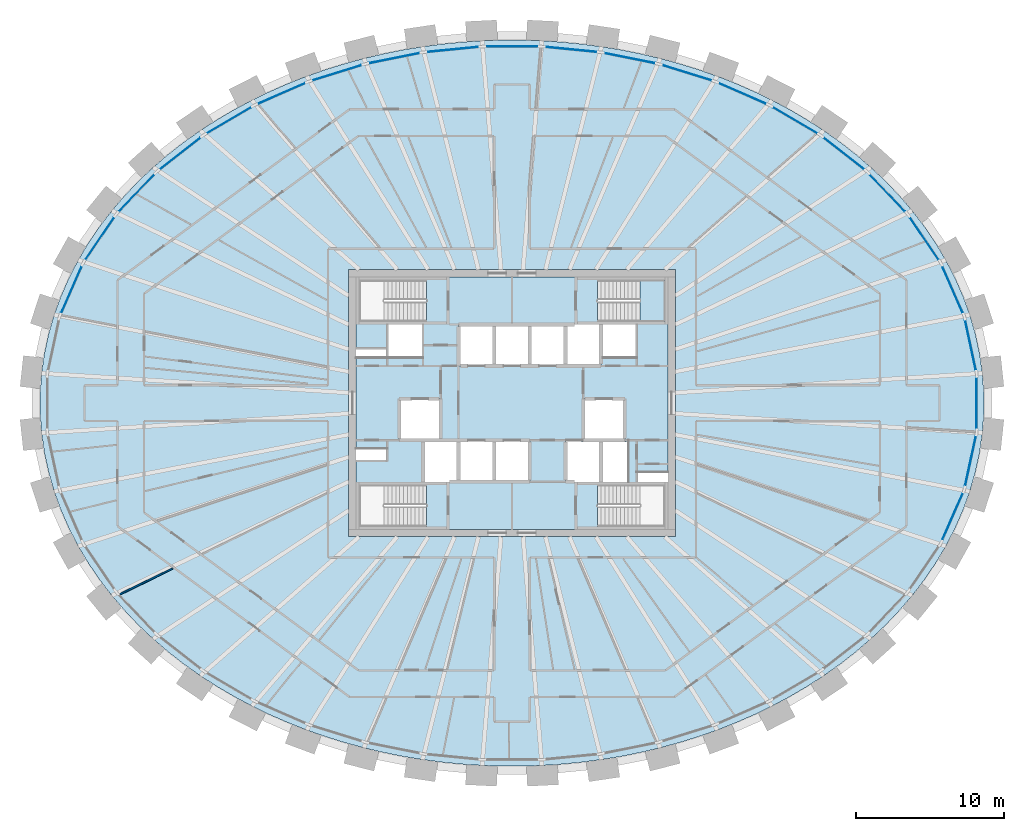
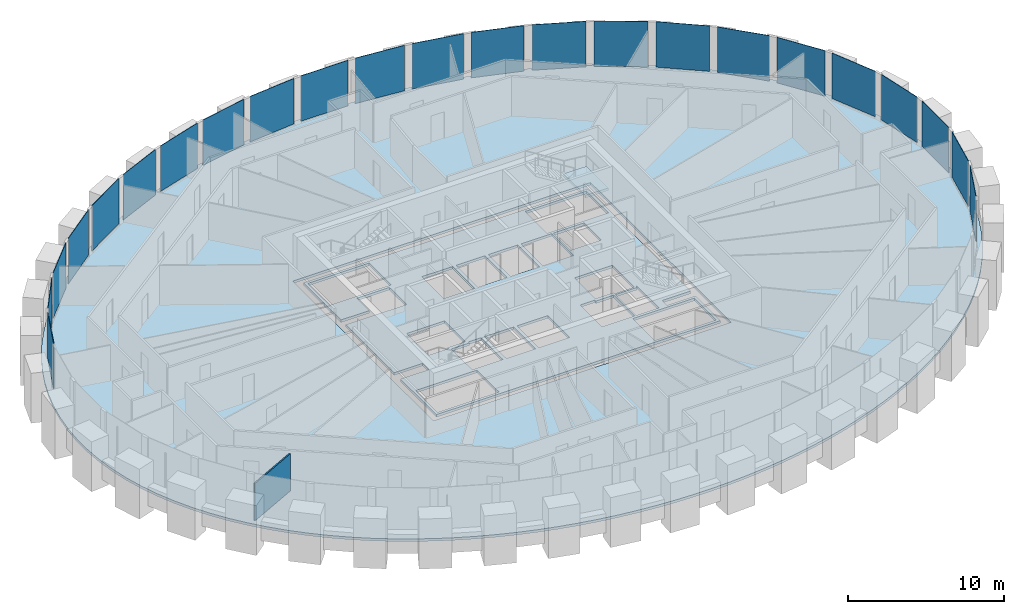
# One storey, part 5 of 12: 23 plates, 3 slabs, 1 wall, 2 elements without a shape of their own.
"""IFC4 building model written with IfcOpenShell, lengths in metres."""

from ifc_helpers import new_model, si_unit, direction, frame, frame_2d, origin, origin_2d, place, context, subcontext, project, spatial, polyline, rectangle, outline, extrude, source, transform, mapped, material, layer, layer_set, type_object, element, aggregate, save


model = new_model("IFC4")

# Units and contexts
model_context = context("Model", 3, precision=1e-05, world=origin(), true_north=direction((0.0, 1.0)))
body_context = subcontext(model_context, "Body", "Model", "MODEL_VIEW")
ifc_project = project(units=[si_unit("LENGTHUNIT", "METRE"), si_unit("AREAUNIT", "SQUARE_METRE"), si_unit("VOLUMEUNIT", "CUBIC_METRE"), si_unit("PLANEANGLEUNIT", "RADIAN"), si_unit("MASSUNIT", "GRAM", prefix="KILO")], contexts=[model_context])

# Site, building, storey
site_placement = place(None, origin())
site = spatial("IfcSite", under=ifc_project, at=site_placement, CompositionType="ELEMENT")
building_placement = place(site_placement, origin())
building = spatial("IfcBuilding", under=site, at=building_placement, Name="Embergate Tower", CompositionType="ELEMENT")
storey_placement = place(building_placement, frame((0.0, 0.0, 273.39990234375)))
storey = spatial("IfcBuildingStorey", under=building, at=storey_placement, Name="L63", CompositionType="ELEMENT", Elevation=273.39990234375)

# Slab
ifc_material_1 = material(Name="Concrete C40", Category="concrete")
ifc_layer_1 = layer(ifc_material_1, 0.199951171875)
ifc_layer_set_1 = layer_set([ifc_layer_1], Name="Concrete C40")
slab_type_1 = type_object("IfcSlabType", Name="Composite floor slab C40 200", PredefinedType="FLOOR", material=ifc_layer_set_1)
shared_shape_1 = source(origin(), body_context, "Body", "SweptSolid", [
    extrude(outline(polyline([(0.0, 0.0), (1.34423828125, 0.0), (2.688232421875, 0.044189453125), (4.033203125, 0.132080078125), (5.37109375, 0.26416015625), (6.701171875, 0.439208984375), (8.033203125, 0.6591796875), (9.35205078125, 0.924072265625), (10.654052734375, 1.232177734375), (11.960205078125, 1.588134765625), (13.244140625, 1.988037109375), (14.504150390625, 2.43017578125), (15.76611328125, 2.926025390625), (16.998046875, 3.465087890625), (18.197998046875, 4.046142578125), (19.396240234375, 4.68603515625), (20.55517578125, 5.3671875), (21.673095703125, 6.089111328125), (22.7822265625, 6.876220703125), (23.842041015625, 7.7041015625), (24.85009765625, 8.569091796875), (25.839111328125, 9.505126953125), (26.76708984375, 10.47802734375), (27.631103515625, 11.485107421875), (28.460205078125, 12.565185546875), (29.216064453125, 13.676025390625), (29.896240234375, 14.816162109375), (30.52001953125, 16.023193359375), (31.06005859375, 17.254150390625), (31.51416015625, 18.505126953125), (31.88916015625, 19.80419921875), (32.172119140625, 21.1181640625), (32.361083984375, 22.441162109375), (32.45703125, 23.781982421875), (32.45703125, 25.126220703125), (32.361083984375, 26.467041015625), (32.172119140625, 27.7900390625), (31.88916015625, 29.10400390625), (31.51416015625, 30.403076171875), (31.06005859375, 31.654052734375), (30.52001953125, 32.885009765625), (29.896240234375, 34.092041015625), (29.216064453125, 35.232177734375), (28.460205078125, 36.343017578125), (27.631103515625, 37.423095703125), (26.76708984375, 38.43017578125), (25.839111328125, 39.403076171875), (24.85009765625, 40.339111328125), (23.842041015625, 41.2041015625), (22.7822265625, 42.031982421875), (21.673095703125, 42.819091796875), (20.55517578125, 43.541015625), (19.396240234375, 44.22216796875), (18.197998046875, 44.862060546875), (16.998046875, 45.443115234375), (15.76611328125, 45.982177734375), (14.504150390625, 46.47802734375), (13.244140625, 46.920166015625), (11.960205078125, 47.320068359375), (10.654052734375, 47.676025390625), (9.35205078125, 47.984130859375), (8.033203125, 48.2490234375), (6.701171875, 48.468994140625), (5.37109375, 48.64404296875), (4.033203125, 48.776123046875), (2.688232421875, 48.864013671875), (1.34423828125, 48.908203125), (0.0, 48.908203125), (-1.343994140625, 48.864013671875), (-2.68896484375, 48.776123046875), (-4.02685546875, 48.64404296875), (-5.35693359375, 48.468994140625), (-6.68896484375, 48.2490234375), (-8.0078125, 47.984130859375), (-9.309814453125, 47.676025390625), (-10.615966796875, 47.320068359375), (-11.89990234375, 46.920166015625), (-13.159912109375, 46.47802734375), (-14.421875, 45.982177734375), (-15.65380859375, 45.443115234375), (-16.853759765625, 44.862060546875), (-18.052001953125, 44.22216796875), (-19.2109375, 43.541015625), (-20.328857421875, 42.819091796875), (-21.43798828125, 42.031982421875), (-22.497802734375, 41.2041015625), (-23.505859375, 40.339111328125), (-24.494873046875, 39.403076171875), (-25.4228515625, 38.43017578125), (-26.286865234375, 37.423095703125), (-27.115966796875, 36.343017578125), (-27.871826171875, 35.232177734375), (-28.552001953125, 34.092041015625), (-29.17578125, 32.885009765625), (-29.7158203125, 31.654052734375), (-30.169921875, 30.403076171875), (-30.544921875, 29.10400390625), (-30.827880859375, 27.7900390625), (-31.016845703125, 26.467041015625), (-31.11279296875, 25.126220703125), (-31.11279296875, 23.781982421875), (-31.016845703125, 22.441162109375), (-30.827880859375, 21.1181640625), (-30.544921875, 19.80419921875), (-30.169921875, 18.505126953125), (-29.7158203125, 17.254150390625), (-29.17578125, 16.023193359375), (-28.552001953125, 14.816162109375), (-27.871826171875, 13.676025390625), (-27.115966796875, 12.565185546875), (-26.286865234375, 11.485107421875), (-25.4228515625, 10.47802734375), (-24.494873046875, 9.505126953125), (-23.505859375, 8.569091796875), (-22.497802734375, 7.7041015625), (-21.43798828125, 6.876220703125), (-20.328857421875, 6.089111328125), (-19.2109375, 5.3671875), (-18.052001953125, 4.68603515625), (-16.853759765625, 4.046142578125), (-15.65380859375, 3.465087890625), (-14.421875, 2.926025390625), (-13.159912109375, 2.43017578125), (-11.89990234375, 1.988037109375), (-10.615966796875, 1.588134765625), (-9.309814453125, 1.232177734375), (-8.0078125, 0.924072265625), (-6.68896484375, 0.6591796875), (-5.35693359375, 0.439208984375), (-4.02685546875, 0.26416015625), (-2.68896484375, 0.132080078125), (-1.343994140625, 0.044189453125), (0.0, 0.0)]), holes=[polyline([(-10.327880859375, 15.4541015625), (-10.327880859375, 33.4541015625), (11.672119140625, 33.4541015625), (11.672119140625, 15.4541015625), (-10.327880859375, 15.4541015625)])]), origin(), (0.0, 0.0, 1.0), 0.199951171875),
])
slab_1_placement = place(storey_placement, frame((-0.672119140625, -24.4541015625, -0.199951171875)))
element("IfcSlab", 1, at=slab_1_placement, inside=storey, type_object=slab_type_1, Name="SLB-L63-00", PredefinedType="FLOOR", context=body_context, shape_type="MappedRepresentation", body=[
    mapped(shared_shape_1, transform((0.0, 0.0, 0.0))),
])

# Curtain wall, plates
ifc_material_2 = material(Name="Aluminium and glass", Category="aluminium")
curtain_wall_type = type_object("IfcCurtainWallType", Name="Recessed office glazing", PredefinedType="NOTDEFINED", material=ifc_material_2)
curtain_wall_placement = place(storey_placement, origin())
curtain_wall = element("IfcCurtainWall", 2, at=curtain_wall_placement, inside=storey, type_object=curtain_wall_type, Name="Recessed office glazing ring", ObjectType="RECESSED OFFICE GLAZING", PredefinedType="USERDEFINED")
ifc_material_3 = material(Name="Triple glazing, low-emissivity coating", Category="glass")
ifc_layer_2 = layer(ifc_material_3, 0.035888671875)
ifc_layer_set_2 = layer_set([ifc_layer_2], Name="Triple glazing, low-emissivity coating")
plate_type = type_object("IfcPlateType", Name="Office glazing unit", PredefinedType="CURTAIN_PANEL", material=ifc_layer_set_2)
shared_shape_2 = source(origin(), body_context, "Body", "SweptSolid", [
    extrude(rectangle(XDim=3.42529296875, YDim=0.035888671875, at=origin_2d()), origin(), (0.0, 0.0, 1.0), 3.550048828125),
])
plate_1_placement = place(storey_placement, frame((30.88623046875, 3.89990234375, 0.14990234375), z_axis=(0.0, 0.0, 1.0), x_axis=(-0.210401803698, 0.977614996305, 0.0)))
plate_1 = element("IfcPlate", 3, at=plate_1_placement, type_object=plate_type, Name="CW panel 1.1", PredefinedType="CURTAIN_PANEL", context=body_context, shape_type="MappedRepresentation", body=[
    mapped(shared_shape_2, transform((0.0, 0.0, 0.0))),
])
plate_2_placement = place(storey_placement, frame((30.88623046875, -3.89990234375, 0.14990234375), z_axis=(0.0, 0.0, 1.0), x_axis=(0.210401803698, 0.977614996305, 0.0)))
plate_2 = element("IfcPlate", 4, at=plate_2_placement, type_object=plate_type, Name="CW panel 43.1", PredefinedType="CURTAIN_PANEL", context=body_context, shape_type="MappedRepresentation", body=[
    mapped(shared_shape_2, transform((0.0, 0.0, 0.0))),
])
shared_shape_3 = source(origin(), body_context, "Body", "SweptSolid", [
    extrude(rectangle(XDim=3.43212890625, YDim=0.035888671875, at=origin_2d()), origin(), (0.0, 0.0, 1.0), 3.550048828125),
])
plate_3_placement = place(storey_placement, frame((29.677490234375, 7.63818359375, 0.14990234375), z_axis=(0.0, 0.0, 1.0), x_axis=(-0.401658494584, 0.915789524797, 0.0)))
plate_3 = element("IfcPlate", 5, at=plate_3_placement, type_object=plate_type, Name="CW panel 2.1", PredefinedType="CURTAIN_PANEL", context=body_context, shape_type="MappedRepresentation", body=[
    mapped(shared_shape_3, transform((0.0, 0.0, 0.0))),
])
plate_4_placement = place(storey_placement, frame((-29.677490234375, 7.63818359375, 0.14990234375), z_axis=(0.0, 0.0, 1.0), x_axis=(-0.401658494584, -0.915789524797, 0.0)))
plate_4 = element("IfcPlate", 6, at=plate_4_placement, type_object=plate_type, Name="CW panel 20.1", PredefinedType="CURTAIN_PANEL", context=body_context, shape_type="MappedRepresentation", body=[
    mapped(shared_shape_3, transform((0.0, 0.0, 0.0))),
])
plate_5_placement = place(storey_placement, frame((29.677490234375, -7.63818359375, 0.14990234375), z_axis=(0.0, 0.0, 1.0), x_axis=(0.401658494584, 0.915789524797, 0.0)))
plate_5 = element("IfcPlate", 7, at=plate_5_placement, type_object=plate_type, Name="CW panel 42.1", PredefinedType="CURTAIN_PANEL", context=body_context, shape_type="MappedRepresentation", body=[
    mapped(shared_shape_3, transform((0.0, 0.0, 0.0))),
])
shared_shape_4 = source(origin(), body_context, "Body", "SweptSolid", [
    extrude(rectangle(XDim=3.44091796875, YDim=0.035888671875, at=origin_2d()), origin(), (0.0, 0.0, 1.0), 3.550048828125),
])
plate_6_placement = place(storey_placement, frame((27.77001953125, 11.08544921875, 0.14990234375), z_axis=(0.0, 0.0, 1.0), x_axis=(-0.562348958001, 0.826900023845, 0.0)))
plate_6 = element("IfcPlate", 8, at=plate_6_placement, type_object=plate_type, Name="CW panel 3.1", PredefinedType="CURTAIN_PANEL", context=body_context, shape_type="MappedRepresentation", body=[
    mapped(shared_shape_4, transform((0.0, 0.0, 0.0))),
])
plate_7_placement = place(storey_placement, frame((-27.77001953125, 11.08544921875, 0.14990234375), z_axis=(0.0, 0.0, 1.0), x_axis=(-0.562348958001, -0.826900023845, 0.0)))
plate_7 = element("IfcPlate", 9, at=plate_7_placement, type_object=plate_type, Name="CW panel 19.1", PredefinedType="CURTAIN_PANEL", context=body_context, shape_type="MappedRepresentation", body=[
    mapped(shared_shape_4, transform((0.0, 0.0, 0.0))),
])
shared_shape_5 = source(origin(), body_context, "Body", "SweptSolid", [
    extrude(rectangle(XDim=3.44921875, YDim=0.035888671875, at=origin_2d()), origin(), (0.0, 0.0, 1.0), 3.550048828125),
])
plate_8_placement = place(storey_placement, frame((25.28662109375, 14.1591796875, 0.14990234375), z_axis=(0.0, 0.0, 1.0), x_axis=(-0.6901388367, 0.723676990154, 0.0)))
plate_8 = element("IfcPlate", 10, at=plate_8_placement, type_object=plate_type, Name="CW panel 4.1", PredefinedType="CURTAIN_PANEL", context=body_context, shape_type="MappedRepresentation", body=[
    mapped(shared_shape_5, transform((0.0, 0.0, 0.0))),
])
plate_9_placement = place(storey_placement, frame((-25.28662109375, 14.1591796875, 0.14990234375), z_axis=(0.0, 0.0, 1.0), x_axis=(-0.6901388367, -0.723676990154, 0.0)))
plate_9 = element("IfcPlate", 11, at=plate_9_placement, type_object=plate_type, Name="CW panel 18.1", PredefinedType="CURTAIN_PANEL", context=body_context, shape_type="MappedRepresentation", body=[
    mapped(shared_shape_5, transform((0.0, 0.0, 0.0))),
])
shared_shape_6 = source(origin(), body_context, "Body", "SweptSolid", [
    extrude(rectangle(XDim=3.456787109375, YDim=0.035888671875, at=origin_2d()), origin(), (0.0, 0.0, 1.0), 3.550048828125),
])
plate_10_placement = place(storey_placement, frame((22.349609375, 16.81884765625, 0.14990234375), z_axis=(0.0, 0.0, 1.0), x_axis=(-0.788323340765, 0.615261172515, 0.0)))
plate_10 = element("IfcPlate", 12, at=plate_10_placement, type_object=plate_type, Name="CW panel 5.1", PredefinedType="CURTAIN_PANEL", context=body_context, shape_type="MappedRepresentation", body=[
    mapped(shared_shape_6, transform((0.0, 0.0, 0.0))),
])
plate_11_placement = place(storey_placement, frame((-22.349609375, 16.81884765625, 0.14990234375), z_axis=(0.0, 0.0, 1.0), x_axis=(-0.788323340765, -0.615261172515, 0.0)))
plate_11 = element("IfcPlate", 13, at=plate_11_placement, type_object=plate_type, Name="CW panel 17.1", PredefinedType="CURTAIN_PANEL", context=body_context, shape_type="MappedRepresentation", body=[
    mapped(shared_shape_6, transform((0.0, 0.0, 0.0))),
])
shared_shape_7 = source(origin(), body_context, "Body", "SweptSolid", [
    extrude(rectangle(XDim=3.462646484375, YDim=0.035888671875, at=origin_2d()), origin(), (0.0, 0.0, 1.0), 3.550048828125),
])
plate_12_placement = place(storey_placement, frame((19.0654296875, 19.051513671875, 0.14990234375), z_axis=(0.0, 0.0, 1.0), x_axis=(-0.862054936934, 0.506814843614, 0.0)))
plate_12 = element("IfcPlate", 14, at=plate_12_placement, type_object=plate_type, Name="CW panel 6.1", PredefinedType="CURTAIN_PANEL", context=body_context, shape_type="MappedRepresentation", body=[
    mapped(shared_shape_7, transform((0.0, 0.0, 0.0))),
])
plate_13_placement = place(storey_placement, frame((-19.0654296875, 19.051513671875, 0.14990234375), z_axis=(0.0, 0.0, 1.0), x_axis=(-0.862054936934, -0.506814843614, 0.0)))
plate_13 = element("IfcPlate", 15, at=plate_13_placement, type_object=plate_type, Name="CW panel 16.1", PredefinedType="CURTAIN_PANEL", context=body_context, shape_type="MappedRepresentation", body=[
    mapped(shared_shape_7, transform((0.0, 0.0, 0.0))),
])
shared_shape_8 = source(origin(), body_context, "Body", "SweptSolid", [
    extrude(rectangle(XDim=3.467041015625, YDim=0.035888671875, at=origin_2d()), origin(), (0.0, 0.0, 1.0), 3.550048828125),
])
plate_14_placement = place(storey_placement, frame((15.5224609375, 20.859375, 0.14990234375), z_axis=(0.0, 0.0, 1.0), x_axis=(-0.916237610228, 0.400635297502, 0.0)))
plate_14 = element("IfcPlate", 16, at=plate_14_placement, type_object=plate_type, Name="CW panel 7.1", PredefinedType="CURTAIN_PANEL", context=body_context, shape_type="MappedRepresentation", body=[
    mapped(shared_shape_8, transform((0.0, 0.0, 0.0))),
])
plate_15_placement = place(storey_placement, frame((-15.5224609375, 20.859375, 0.14990234375), z_axis=(0.0, 0.0, 1.0), x_axis=(-0.916237610228, -0.400635297502, 0.0)))
plate_15 = element("IfcPlate", 17, at=plate_15_placement, type_object=plate_type, Name="CW panel 15.1", PredefinedType="CURTAIN_PANEL", context=body_context, shape_type="MappedRepresentation", body=[
    mapped(shared_shape_8, transform((0.0, 0.0, 0.0))),
])
shared_shape_9 = source(origin(), body_context, "Body", "SweptSolid", [
    extrude(rectangle(XDim=3.47021484375, YDim=0.035888671875, at=origin_2d()), origin(), (0.0, 0.0, 1.0), 3.550048828125),
])
plate_16_placement = place(storey_placement, frame((11.791015625, 22.251220703125, 0.14990234375), z_axis=(0.0, 0.0, 1.0), x_axis=(-0.954772736126, 0.297336547283, 0.0)))
plate_16 = element("IfcPlate", 18, at=plate_16_placement, type_object=plate_type, Name="CW panel 8.1", PredefinedType="CURTAIN_PANEL", context=body_context, shape_type="MappedRepresentation", body=[
    mapped(shared_shape_9, transform((0.0, 0.0, 0.0))),
])
plate_17_placement = place(storey_placement, frame((-11.791015625, 22.251220703125, 0.14990234375), z_axis=(0.0, 0.0, 1.0), x_axis=(-0.954772736126, -0.297336547283, 0.0)))
plate_17 = element("IfcPlate", 19, at=plate_17_placement, type_object=plate_type, Name="CW panel 14.1", PredefinedType="CURTAIN_PANEL", context=body_context, shape_type="MappedRepresentation", body=[
    mapped(shared_shape_9, transform((0.0, 0.0, 0.0))),
])
shared_shape_10 = source(origin(), body_context, "Body", "SweptSolid", [
    extrude(rectangle(XDim=3.472412109375, YDim=0.035888671875, at=origin_2d()), origin(), (0.0, 0.0, 1.0), 3.550048828125),
])
plate_18_placement = place(storey_placement, frame((7.928955078125, 23.237060546875, 0.14990234375), z_axis=(0.0, 0.0, 1.0), x_axis=(-0.980476250608, 0.196637539636, 0.0)))
plate_18 = element("IfcPlate", 20, at=plate_18_placement, type_object=plate_type, Name="CW panel 9.1", PredefinedType="CURTAIN_PANEL", context=body_context, shape_type="MappedRepresentation", body=[
    mapped(shared_shape_10, transform((0.0, 0.0, 0.0))),
])
plate_19_placement = place(storey_placement, frame((-7.928955078125, 23.237060546875, 0.14990234375), z_axis=(0.0, 0.0, 1.0), x_axis=(-0.980476250608, -0.196637539636, 0.0)))
plate_19 = element("IfcPlate", 21, at=plate_19_placement, type_object=plate_type, Name="CW panel 13.1", PredefinedType="CURTAIN_PANEL", context=body_context, shape_type="MappedRepresentation", body=[
    mapped(shared_shape_10, transform((0.0, 0.0, 0.0))),
])
shared_shape_11 = source(origin(), body_context, "Body", "SweptSolid", [
    extrude(rectangle(XDim=3.4736328125, YDim=0.035888671875, at=origin_2d()), origin(), (0.0, 0.0, 1.0), 3.550048828125),
])
plate_20_placement = place(storey_placement, frame((3.984375, 23.824951171875, 0.14990234375), z_axis=(0.0, 0.0, 1.0), x_axis=(-0.995203355531, 0.09782781373, 0.0)))
plate_20 = element("IfcPlate", 22, at=plate_20_placement, type_object=plate_type, Name="CW panel 10.1", PredefinedType="CURTAIN_PANEL", context=body_context, shape_type="MappedRepresentation", body=[
    mapped(shared_shape_11, transform((0.0, 0.0, 0.0))),
])
plate_21_placement = place(storey_placement, frame((-3.984375, 23.824951171875, 0.14990234375), z_axis=(0.0, 0.0, 1.0), x_axis=(-0.995203355531, -0.09782781373, 0.0)))
plate_21 = element("IfcPlate", 23, at=plate_21_placement, type_object=plate_type, Name="CW panel 12.1", PredefinedType="CURTAIN_PANEL", context=body_context, shape_type="MappedRepresentation", body=[
    mapped(shared_shape_11, transform((0.0, 0.0, 0.0))),
])
shared_shape_12 = source(origin(), body_context, "Body", "SweptSolid", [
    extrude(rectangle(XDim=3.47412109375, YDim=0.035888671875, at=origin_2d()), origin(), (0.0, 0.0, 1.0), 3.550048828125),
])
plate_22_placement = place(storey_placement, frame((0.0, 24.020263671875, 0.14990234375), z_axis=(0.0, 0.0, 1.0), x_axis=(-1.0, 0.0, 0.0)))
plate_22 = element("IfcPlate", 24, at=plate_22_placement, type_object=plate_type, Name="CW panel 11.1", PredefinedType="CURTAIN_PANEL", context=body_context, shape_type="MappedRepresentation", body=[
    mapped(shared_shape_12, transform((0.0, 0.0, 0.0))),
])
shared_shape_13 = source(origin(), body_context, "Body", "SweptSolid", [
    extrude(rectangle(XDim=3.4228515625, YDim=0.035888671875, at=origin_2d()), origin(), (0.0, 0.0, 1.0), 3.550048828125),
])
plate_23_placement = place(storey_placement, frame((31.301513671875, 0.0, 0.14990234375), z_axis=(0.0, 0.0, 1.0), x_axis=(0.0, 1.0, 0.0)))
plate_23 = element("IfcPlate", 25, at=plate_23_placement, type_object=plate_type, Name="CW panel 44.1", PredefinedType="CURTAIN_PANEL", context=body_context, shape_type="MappedRepresentation", body=[
    mapped(shared_shape_13, transform((0.0, 0.0, 0.0))),
])
aggregate(curtain_wall, [plate_1, plate_3, plate_6, plate_8, plate_10, plate_12, plate_14, plate_16, plate_18, plate_20, plate_22, plate_21, plate_19, plate_17, plate_15, plate_13, plate_11, plate_9, plate_7, plate_4, plate_5, plate_2, plate_23])

# Stair, slab
ifc_material_4 = material(Name="Exit stair")
stair_type = type_object("IfcStairType", Name="Exit stair", PredefinedType="HALF_TURN_STAIR", material=ifc_material_4)
stair_placement = place(storey_placement, origin())
stair = element("IfcStair", 26, at=stair_placement, inside=storey, type_object=stair_type, Name="L63 Exit stair 2", PredefinedType="HALF_TURN_STAIR")
ifc_layer_3 = layer(ifc_material_1, 0.199951171875)
ifc_layer_set_3 = layer_set([ifc_layer_3], Name="Concrete C40")
slab_type_2 = type_object("IfcSlabType", Name="Stair landing reinforced concrete", PredefinedType="LANDING", material=ifc_layer_set_3)
shared_shape_14 = source(origin(), body_context, "Body", "SweptSolid", [
    extrude(outline(polyline([(0.0, 0.0), (1.68994140625, 0.0), (1.68994140625, 2.800048828125), (0.0, 2.800048828125), (0.0, 0.0)])), origin(), (0.0, 0.0, 1.0), 0.2001953125),
])
slab_2_placement = place(storey_placement, frame((8.610107421875, 5.5, 1.75)))
slab_2 = element("IfcSlab", 27, at=slab_2_placement, type_object=slab_type_2, Name="ST2 landing 1", PredefinedType="LANDING", context=body_context, shape_type="MappedRepresentation", body=[
    mapped(shared_shape_14, transform((0.0, 0.0, 0.0))),
])
aggregate(stair, [slab_2])

# Slab
ifc_layer_4 = layer(ifc_material_1, 0.199951171875)
ifc_layer_set_4 = layer_set([ifc_layer_4], Name="Concrete C40")
slab_type_3 = type_object("IfcSlabType", Name="Core floor slab 200 reinforced concrete", PredefinedType="FLOOR", material=ifc_layer_set_4)
shared_shape_15 = source(origin(), body_context, "Body", "SweptSolid", [
    extrude(outline(polyline([(0.0, 0.0), (21.0, 0.0), (21.0, 3.199951171875), (18.89990234375, 3.199951171875), (18.89990234375, 3.803955078125), (21.0, 3.803955078125), (21.0, 17.0), (0.0, 17.0), (0.0, 12.2041015625), (2.10009765625, 12.2041015625), (2.10009765625, 13.800048828125), (4.5, 13.800048828125), (4.5, 11.60009765625), (2.10009765625, 11.60009765625), (0.0, 11.60009765625), (0.0, 5.39990234375), (2.10009765625, 5.39990234375), (2.10009765625, 4.60009765625), (0.0, 4.60009765625), (0.0, 0.0)]), holes=[polyline([(0.199951171875, 0.199951171875), (0.199951171875, 3.0), (4.739990234375, 3.0), (4.739990234375, 0.199951171875), (0.199951171875, 0.199951171875)]), polyline([(16.260009765625, 0.199951171875), (16.260009765625, 3.0), (20.800048828125, 3.0), (20.800048828125, 0.199951171875), (16.260009765625, 0.199951171875)]), polyline([(4.5, 3.199951171875), (4.5, 5.875), (5.824951171875, 5.875), (5.824951171875, 6.0), (6.77490234375, 6.0), (6.77490234375, 3.199951171875), (4.5, 3.199951171875)]), polyline([(7.02490234375, 3.199951171875), (7.02490234375, 6.0), (9.175048828125, 6.0), (9.175048828125, 3.199951171875), (7.02490234375, 3.199951171875)]), polyline([(9.425048828125, 3.199951171875), (9.425048828125, 6.0), (11.699951171875, 6.0), (11.699951171875, 3.199951171875), (9.425048828125, 3.199951171875)]), polyline([(14.10009765625, 3.199951171875), (14.10009765625, 6.0), (15.175048828125, 6.0), (15.175048828125, 5.875), (16.5, 5.875), (16.5, 3.199951171875), (14.10009765625, 3.199951171875)]), polyline([(16.625, 3.199951171875), (16.625, 5.875), (18.22509765625, 5.875), (18.22509765625, 6.0), (18.300048828125, 6.0), (18.300048828125, 3.199951171875), (16.625, 3.199951171875)]), polyline([(2.89990234375, 6.0), (2.89990234375, 8.800048828125), (5.699951171875, 8.800048828125), (5.699951171875, 6.125), (4.375, 6.125), (4.375, 6.0), (2.89990234375, 6.0)]), polyline([(16.625, 6.0), (16.625, 6.125), (15.300048828125, 6.125), (15.300048828125, 8.800048828125), (18.10009765625, 8.800048828125), (18.10009765625, 6.0), (16.625, 6.0)]), polyline([(6.89990234375, 11.0), (6.89990234375, 13.800048828125), (9.175048828125, 13.800048828125), (9.175048828125, 11.0), (6.89990234375, 11.0)]), polyline([(9.425048828125, 11.0), (9.425048828125, 13.800048828125), (11.574951171875, 13.800048828125), (11.574951171875, 11.0), (9.425048828125, 11.0)]), polyline([(11.824951171875, 11.0), (11.824951171875, 13.800048828125), (13.97509765625, 13.800048828125), (13.97509765625, 11.0), (11.824951171875, 11.0)]), polyline([(14.22509765625, 11.0), (14.22509765625, 13.800048828125), (16.5, 13.800048828125), (16.5, 11.0), (14.22509765625, 11.0)]), polyline([(16.625, 11.60009765625), (16.625, 13.800048828125), (18.89990234375, 13.800048828125), (18.89990234375, 11.60009765625), (16.625, 11.60009765625)]), polyline([(0.199951171875, 14.0), (0.199951171875, 16.800048828125), (4.739990234375, 16.800048828125), (4.739990234375, 14.0), (0.199951171875, 14.0)]), polyline([(16.260009765625, 14.0), (16.260009765625, 16.800048828125), (20.800048828125, 16.800048828125), (20.800048828125, 14.0), (16.260009765625, 14.0)])]), origin(), (0.0, 0.0, 1.0), 0.199951171875),
])
slab_3_placement = place(storey_placement, frame((-10.5, -8.5, -0.199951171875)))
element("IfcSlab", 28, at=slab_3_placement, inside=storey, type_object=slab_type_3, Name="Core floor slab", PredefinedType="FLOOR", context=body_context, shape_type="MappedRepresentation", body=[
    mapped(shared_shape_15, transform((0.0, 0.0, 0.0))),
])

# Wall
ifc_material_5 = material(Name="Partition dry-lined 100")
ifc_layer_5 = layer(ifc_material_5, 0.10009765625)
ifc_layer_set_5 = layer_set([ifc_layer_5], Name="Partition dry-lined 100")
wall_type = type_object("IfcWallType", Name="Partition dry-lined 100", PredefinedType="PARTITIONING", material=ifc_layer_set_5)
shared_shape_16 = source(origin(), body_context, "Body", "SweptSolid", [
    extrude(rectangle(XDim=4.029052734375, YDim=0.10009765625, at=frame_2d((2.0146484375, 0.0))), origin(), (0.0, 0.0, 1.0), 2.900146484375),
])
wall_placement = place(storey_placement, frame((-22.863037109375, -11.14306640625, 0.0), z_axis=(0.0, 0.0, 1.0), x_axis=(-0.898961115704, -0.43802843795, 0.0)))
element("IfcWall", 29, at=wall_placement, inside=storey, type_object=wall_type, Name="IP-1 wall", PredefinedType="PARTITIONING", context=body_context, shape_type="MappedRepresentation", body=[
    mapped(shared_shape_16, transform((0.0, 0.0, 0.0))),
])

save(model, "model.ifc")
